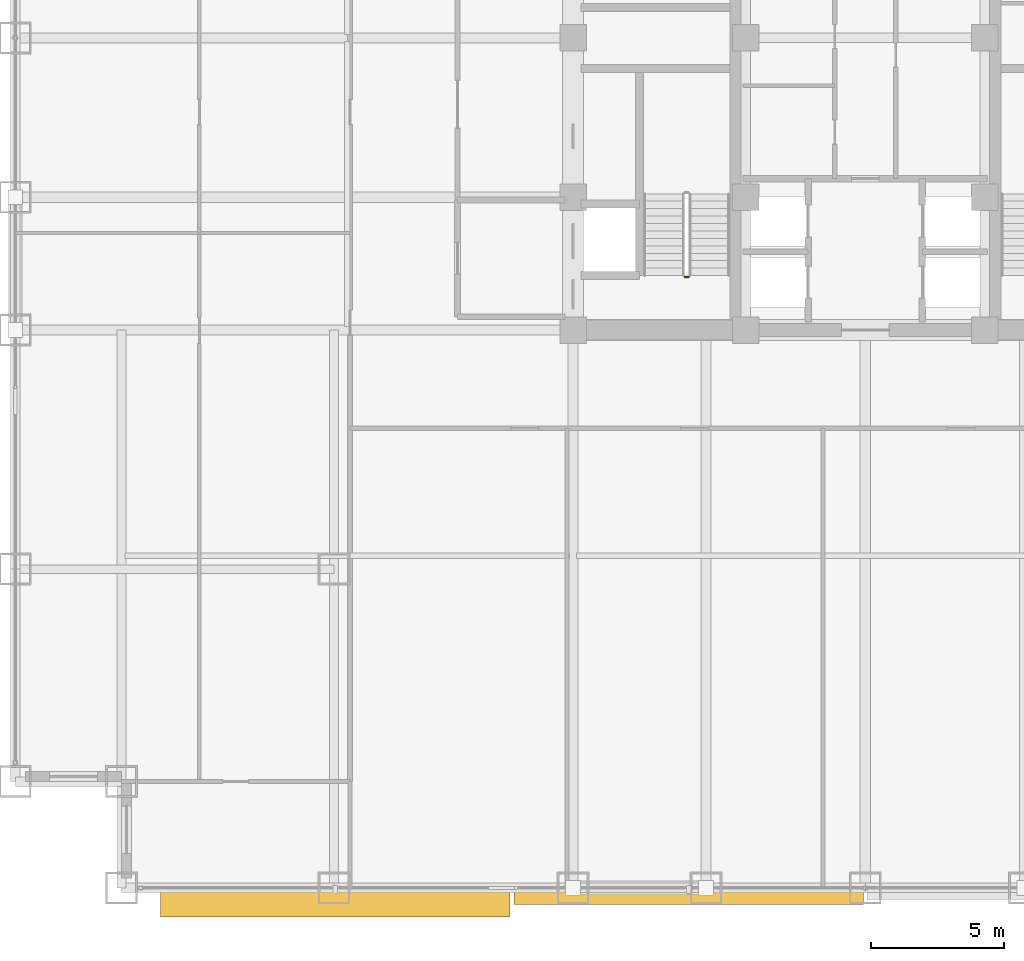
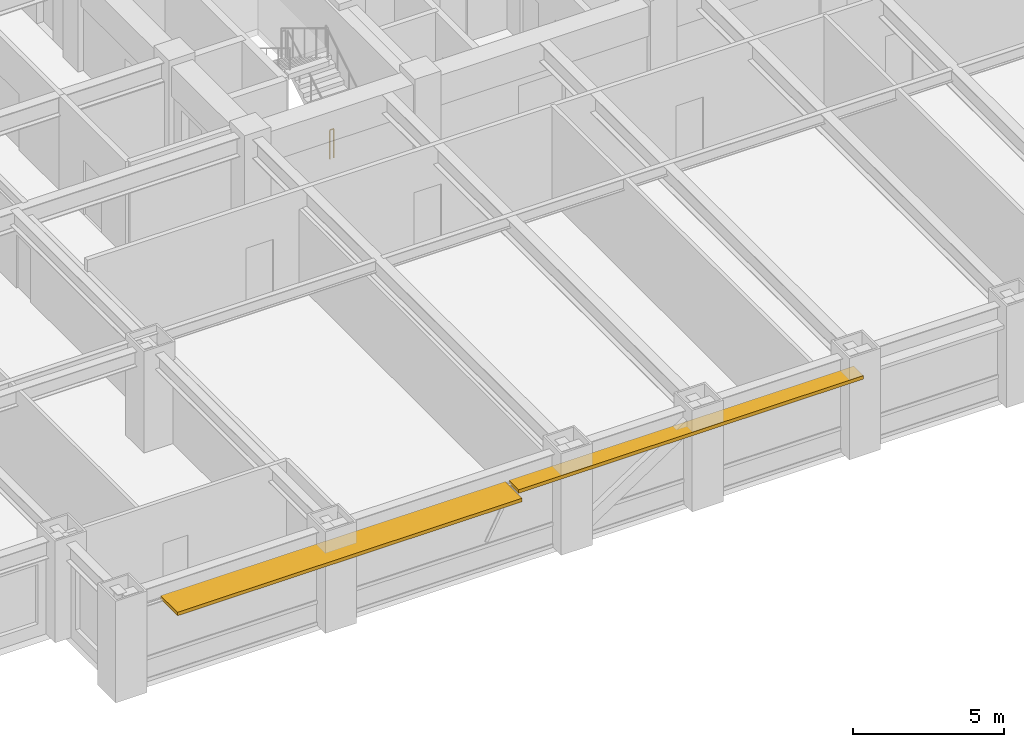
# One storey, part 28 of 32: 2 shading devices, 1 railing.
"""IFC4 building model written with IfcOpenShell, lengths in metres."""

from ifc_helpers import new_model, si_unit, direction, frame, origin, origin_2d, place, context, subcontext, project, spatial, rectangle, circle, extrude, source, transform, mapped, material, layer, layer_set, type_object, element, save


model = new_model("IFC4")

# Units and contexts
model_context = context("Model", 3, precision=1e-05, world=origin(), true_north=direction((0.0, 1.0)))
body_context = subcontext(model_context, "Body", "Model", "MODEL_VIEW")
ifc_project = project(units=[si_unit("LENGTHUNIT", "METRE"), si_unit("AREAUNIT", "SQUARE_METRE"), si_unit("VOLUMEUNIT", "CUBIC_METRE"), si_unit("PLANEANGLEUNIT", "RADIAN"), si_unit("MASSUNIT", "GRAM", prefix="KILO")], contexts=[model_context])

# Site, building, storey
site_placement = place(None, origin())
site = spatial("IfcSite", under=ifc_project, at=site_placement, CompositionType="ELEMENT")
building_placement = place(site_placement, origin())
building = spatial("IfcBuilding", under=site, at=building_placement, Name="Khorayat Bourse Tower", CompositionType="ELEMENT")
storey_placement = place(building_placement, frame((0.0, 0.0, 128.300048828125)))
storey = spatial("IfcBuildingStorey", under=building, at=storey_placement, Name="L29", CompositionType="ELEMENT", Elevation=128.300048828125)

# Shading devices
ifc_material_1 = material(Name="Precast concrete C45/55", Category="concrete")
ifc_layer = layer(ifc_material_1, 0.139892578125)
ifc_layer_set = layer_set([ifc_layer], Name="Precast concrete C45/55")
shading_device_type = type_object("IfcShadingDeviceType", Name="SHD-WAVE-TRAY-B", PredefinedType="USERDEFINED", material=ifc_layer_set)
shared_shape_1 = source(origin(), body_context, "Body", "SweptSolid", [
    extrude(rectangle(XDim=13.159912109375, YDim=0.63818359375, at=origin_2d()), origin(), (0.0, 0.0, 1.0), 0.139892578125),
])
shading_device_1_placement = place(storey_placement, frame((-6.64990234375, -32.299072265625, 3.08984375), z_axis=(0.0, 0.0, 1.0), x_axis=(1.0, 0.0, 0.0)))
element("IfcShadingDevice", 1, at=shading_device_1_placement, inside=storey, type_object=shading_device_type, Name="L29 Sinusoidal Wave Sunshade Tray S-2", ObjectType="SUNSHADE", PredefinedType="USERDEFINED", context=body_context, shape_type="MappedRepresentation", body=[
    mapped(shared_shape_1, transform((0.0, 0.0, 0.0), scale=1.0)),
])
shared_shape_2 = source(origin(), body_context, "Body", "SweptSolid", [
    extrude(rectangle(XDim=13.159912109375, YDim=1.115478515625, at=origin_2d()), origin(), (0.0, 0.0, 1.0), 0.139892578125),
])
shading_device_2_placement = place(storey_placement, frame((-19.949951171875, -32.53759765625, 3.08984375), z_axis=(0.0, 0.0, 1.0), x_axis=(1.0, 0.0, 0.0)))
element("IfcShadingDevice", 2, at=shading_device_2_placement, inside=storey, type_object=shading_device_type, Name="L29 Sinusoidal Wave Sunshade Tray S-1", ObjectType="SUNSHADE", PredefinedType="USERDEFINED", context=body_context, shape_type="MappedRepresentation", body=[
    mapped(shared_shape_2, transform((0.0, 0.0, 0.0), scale=1.0)),
])

# Railing
ifc_material_2 = material(Name="Powder-coated steel balustrade", Category="steel")
railing_type = type_object("IfcRailingType", Name="RLG-GUARD-1200", PredefinedType="GUARDRAIL", material=ifc_material_2)
shared_shape_3 = source(origin(), body_context, "Body", "SweptSolid", [
    extrude(circle(Radius=0.02392578125, at=origin_2d()), frame((0.0, 0.0, 1.17578125), z_axis=(-1.0, 0.0, 0.0), x_axis=(0.0, -1.0, 0.0)), (0.0, 0.0, 1.0), 0.150146484375),
    extrude(circle(Radius=0.02099609375, at=origin_2d()), origin(), (0.0, 0.0, 1.0), 1.15185546875),
    extrude(circle(Radius=0.02099609375, at=origin_2d()), frame((-0.150146484375, 0.0, 0.0)), (0.0, 0.0, 1.0), 1.15185546875),
])
railing_placement = place(storey_placement, frame((-6.64990234375, -9.0, 0.0)))
element("IfcRailing", 3, at=railing_placement, inside=storey, type_object=railing_type, Name="L29 ST-1 stair guard 4", PredefinedType="GUARDRAIL", context=body_context, shape_type="MappedRepresentation", body=[
    mapped(shared_shape_3, transform((0.0, 0.0, 0.0), scale=1.0)),
])

save(model, "model.ifc")
